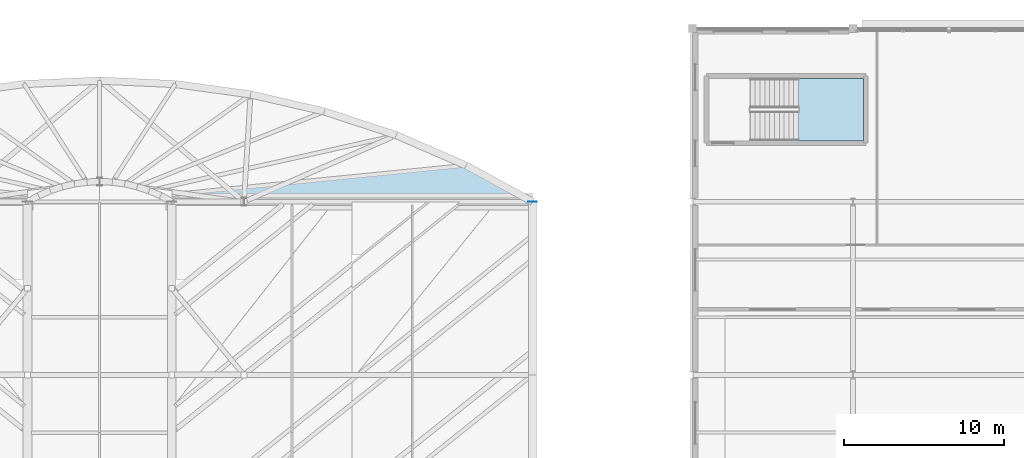
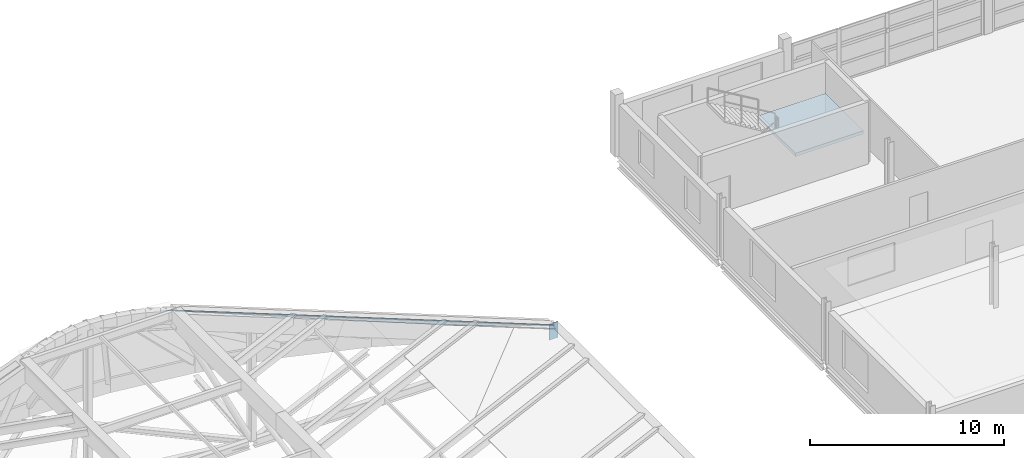
# One storey, part 70 of 110: 2 plates, 1 slab, 1 element without a shape of its own.
"""IFC4 building model written with IfcOpenShell, lengths in metres."""

from ifc_helpers import new_model, si_unit, direction, frame, origin, origin_2d, place, context, subcontext, project, spatial, polyline, rectangle, outline, extrude, material, layer, layer_set, type_object, element, aggregate, save


model = new_model("IFC4")

# Units and contexts
model_context = context("Model", 3, precision=1e-05, world=origin(), true_north=direction((0.0, 1.0)))
body_context = subcontext(model_context, "Body", "Model", "MODEL_VIEW")
ifc_project = project(units=[si_unit("LENGTHUNIT", "METRE"), si_unit("AREAUNIT", "SQUARE_METRE"), si_unit("VOLUMEUNIT", "CUBIC_METRE"), si_unit("PLANEANGLEUNIT", "RADIAN"), si_unit("MASSUNIT", "GRAM", prefix="KILO")], contexts=[model_context])

# Site, building, storey
site_placement = place(None, origin())
site = spatial("IfcSite", under=ifc_project, at=site_placement, CompositionType="ELEMENT")
building_placement = place(site_placement, origin())
building = spatial("IfcBuilding", under=site, at=building_placement, Name="Tamarisk Ironworks Central Station", CompositionType="ELEMENT")
storey_placement = place(building_placement, frame((0.0, 0.0, 17.39990234375)))
storey = spatial("IfcBuildingStorey", under=building, at=storey_placement, Name="L03", CompositionType="ELEMENT", Elevation=17.39990234375)

# Plates
ifc_material_1 = material(Name="Painted structural steel S355J2", Category="steel")
ifc_layer_1 = layer(ifc_material_1, 0.01611328125)
ifc_layer_set_1 = layer_set([ifc_layer_1], Name="Painted structural steel S355J2")
plate_type_1 = type_object("IfcPlateType", Name="PL-EC16", PredefinedType="SHEET", material=ifc_layer_set_1)
plate_1_placement = place(storey_placement, frame((108.0, 111.60009765625, -1.60986328125), z_axis=(0.0, 0.0, 1.0), x_axis=(1.0, 0.0, 0.0)))
element("IfcPlate", 1, at=plate_1_placement, inside=storey, type_object=plate_type_1, Name="Eave box girder welded end-cap plate 004", PredefinedType="SHEET", context=body_context, shape_type="SweptSolid", body=[
    extrude(rectangle(XDim=0.52001953125, YDim=0.01611328125, at=origin_2d()), origin(), (0.0, 0.0, 1.0), 1.02001953125),
])
ifc_material_2 = material(Name="Laminated solar-control low-E glass", Category="glass")
ifc_layer_2 = layer(ifc_material_2, 0.031982421875)
ifc_layer_set_2 = layer_set([ifc_layer_2], Name="Laminated solar-control low-E glass")
plate_type_2 = type_object("IfcPlateType", Name="PL-RG32", PredefinedType="USERDEFINED", material=ifc_layer_set_2)
plate_2_placement = place(storey_placement, frame((84.808349609375, 111.978271484375, 8.10009765625), z_axis=(0.303155008738, 0.554344580754, 0.775112331514), x_axis=(0.877394973555, -0.479768755689, -3.8021771e-05)))
element("IfcPlate", 2, at=plate_2_placement, inside=storey, type_object=plate_type_2, Name="NORTH rounded entrance hall trapezoidal glass panel 12", ObjectType="ROOF GLAZING PANEL", PredefinedType="USERDEFINED", context=body_context, shape_type="SweptSolid", body=[
    extrude(outline(polyline([(0.0, 0.0), (0.7882865631451655, -5.551115123125783e-17), (20.530008061564132, 13.926783248645446), (15.800054420605399, 13.927115324421862), (0.0, 0.0)])), origin(), (0.0, 0.0, -1.0), 0.031982421875),
])

# Stair, slab
ifc_material_3 = material(Name="Concrete C35/45", Category="concrete")
stair_type = type_object("IfcStairType", Name="ST-CORE-C", PredefinedType="HALF_TURN_STAIR", material=ifc_material_3)
stair_placement = place(storey_placement, origin())
stair = element("IfcStair", 3, at=stair_placement, inside=storey, type_object=stair_type, Name="L03 Courtyard Exit Stair Core 5", PredefinedType="HALF_TURN_STAIR")
ifc_layer_3 = layer(ifc_material_3, 0.215087890625)
ifc_layer_set_3 = layer_set([ifc_layer_3], Name="Concrete C35/45")
slab_type = type_object("IfcSlabType", Name="SL-LD220", PredefinedType="LANDING", material=ifc_layer_set_3)
slab_placement = place(storey_placement, frame((0.0, 0.0, 1.75)))
slab = element("IfcSlab", 4, at=slab_placement, type_object=slab_type, Name="ST-C5 landing 1", PredefinedType="LANDING", context=body_context, shape_type="SweptSolid", body=[
    extrude(outline(polyline([(124.60009765625, 115.39990234375), (128.64990234375, 115.39990234375), (128.64990234375, 119.300048828125), (124.60009765625, 119.300048828125), (124.60009765625, 115.39990234375)])), origin(), (0.0, 0.0, 1.0), 0.2001953125),
])
aggregate(stair, [slab])

save(model, "model.ifc")
